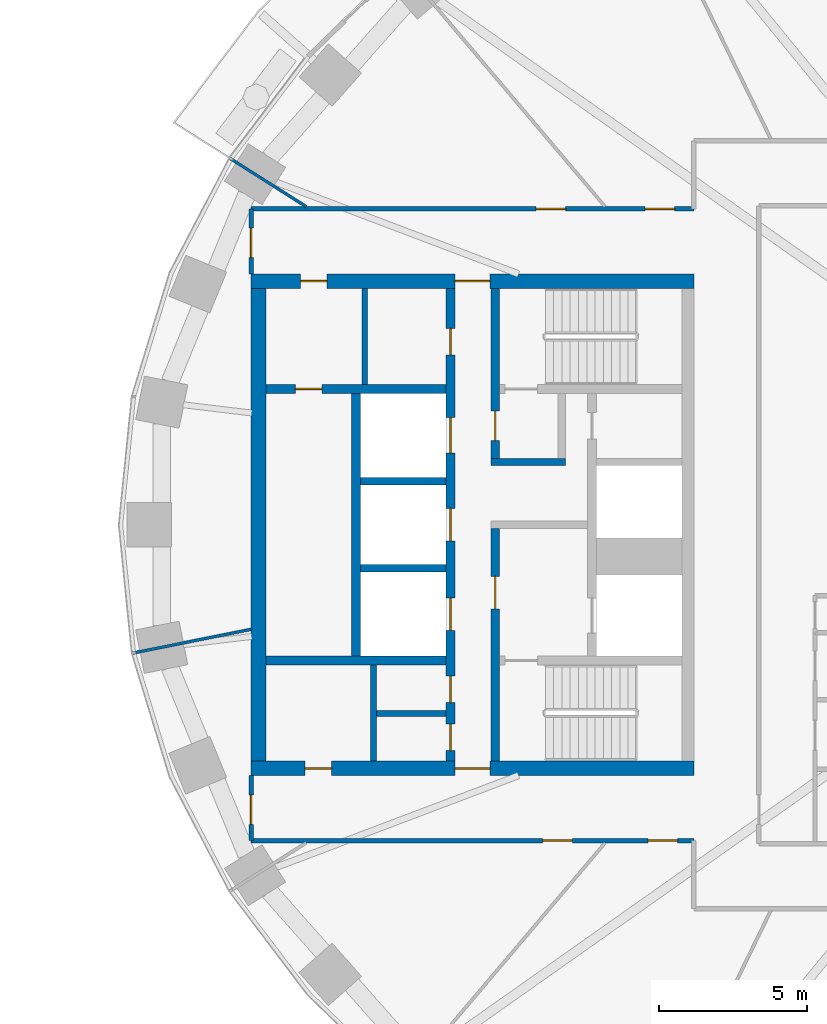
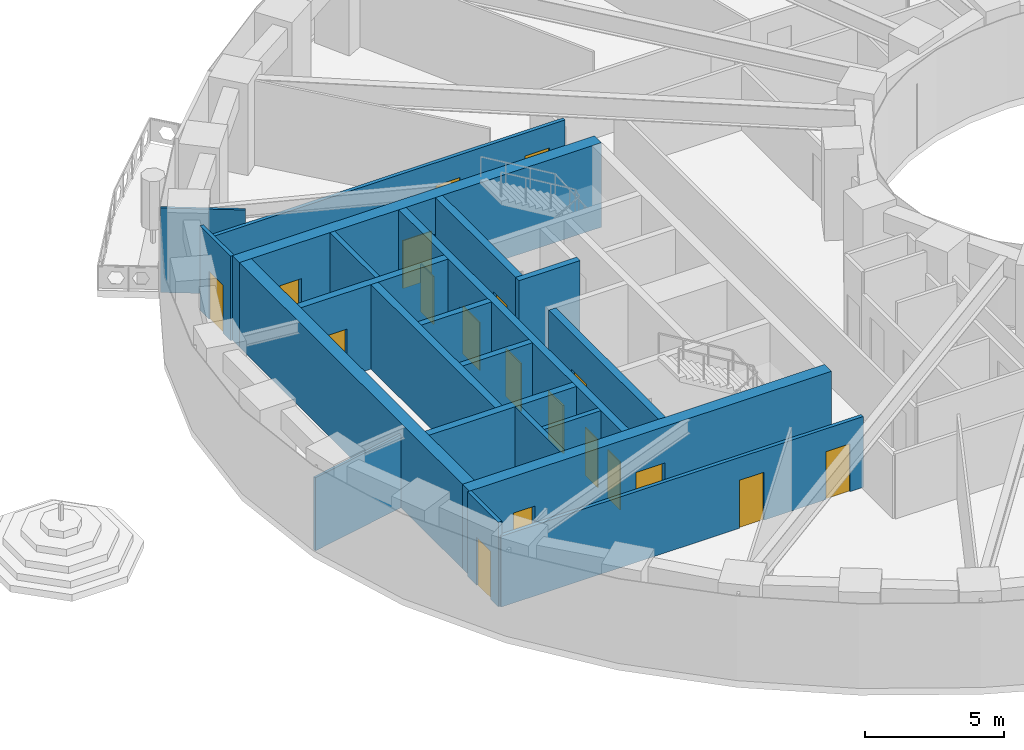
# One storey, part 3 of 20: 21 walls, 19 doors, 19 openings.
"""IFC4 building model written with IfcOpenShell, lengths in metres."""

from ifc_helpers import new_model, si_unit, direction, frame, frame_2d, origin, place, context, subcontext, project, spatial, rectangle, extrude, material, layer, layer_set, type_object, element, fill, save


model = new_model("IFC4")

# Units and contexts
model_context = context("Model", 3, precision=1e-05, world=origin(), true_north=direction((0.0, 1.0)))
body_context = subcontext(model_context, "Body", "Model", "MODEL_VIEW")
ifc_project = project(units=[si_unit("LENGTHUNIT", "METRE"), si_unit("AREAUNIT", "SQUARE_METRE"), si_unit("VOLUMEUNIT", "CUBIC_METRE"), si_unit("PLANEANGLEUNIT", "RADIAN"), si_unit("MASSUNIT", "GRAM", prefix="KILO")], contexts=[model_context])

# Site, building, storey
site_placement = place(None, origin())
site = spatial("IfcSite", under=ifc_project, at=site_placement, CompositionType="ELEMENT")
building_placement = place(site_placement, origin())
building = spatial("IfcBuilding", under=site, at=building_placement, Name="Noorbagh Ring Tower", CompositionType="ELEMENT")
storey_placement = place(building_placement, frame((0.0, 0.0, 34.5)))
storey = spatial("IfcBuildingStorey", under=building, at=storey_placement, Name="L06", CompositionType="ELEMENT", Elevation=34.5)

# Walls
ifc_material_1 = material(Name="Gypsum board on steel studs", Category="steel")
ifc_layer_1 = layer(ifc_material_1, 0.199951171875)
ifc_layer_set_1 = layer_set([ifc_layer_1], Name="Gypsum board on steel studs")
wall_type_1 = type_object("IfcWallType", Name="CORE-PARTITION-200", PredefinedType="PARTITIONING", material=ifc_layer_set_1)
for number, where, z_axis, x_axis, name in (
    (1, (-27.64990234375, 4.75, 0.0), (0.0, 0.0, 1.0), (0.0, 1.0, 0.0), "Core partition W"),
    (2, (-27.35009765625, -8.0, 0.0), (0.0, 0.0, 1.0), (0.0, 1.0, 0.0), "Core partition W"),
):
    element("IfcWall", number, at=place(storey_placement, frame(where, z_axis=z_axis, x_axis=x_axis)), inside=storey, type_object=wall_type_1, Name=name, PredefinedType="PARTITIONING", context=body_context, shape_type="SweptSolid", body=[
        extrude(rectangle(XDim=3.25, YDim=0.199951171875, at=frame_2d((1.625, 0.0))), origin(), (0.0, 0.0, 1.0), 3.699951171875),
    ])
wall_1_placement = place(storey_placement, frame((-24.89990234375, -6.39990234375, 0.0), z_axis=(0.0, 0.0, 1.0), x_axis=(-1.0, 0.0, 0.0)))
element("IfcWall", 3, at=wall_1_placement, inside=storey, type_object=wall_type_1, Name="Core partition W", PredefinedType="PARTITIONING", context=body_context, shape_type="SweptSolid", body=[
    extrude(rectangle(XDim=2.35009765625, YDim=0.199951171875, at=frame_2d((1.175048828125, 0.0))), origin(), (0.0, 0.0, 1.0), 3.699951171875),
])
ifc_material_2 = material(Name="Concrete C70/85", Category="concrete")
ifc_layer_2 = layer(ifc_material_2, 0.25)
ifc_layer_set_2 = layer_set([ifc_layer_2], Name="Concrete C70/85")
wall_type_2 = type_object("IfcWallType", Name="CORE-WALL-250-C70-85-EI120", PredefinedType="SHEAR", material=ifc_layer_set_2)
for number, where, z_axis, x_axis, name in (
    (4, (-24.89990234375, -1.47509765625, 0.0), (0.0, 0.0, 1.0), (-1.0, 0.0, 0.0), "Core wall W"),
    (5, (-24.89990234375, 1.47509765625, 0.0), (0.0, 0.0, 1.0), (-1.0, 0.0, 0.0), "Core wall W"),
):
    element("IfcWall", number, at=place(storey_placement, frame(where, z_axis=z_axis, x_axis=x_axis)), inside=storey, type_object=wall_type_2, Name=name, PredefinedType="SHEAR", context=body_context, shape_type="SweptSolid", body=[
        extrude(rectangle(XDim=2.900146484375, YDim=0.25, at=frame_2d((1.4501953125, 0.0))), origin(), (0.0, 0.0, 1.0), 3.699951171875),
    ])
ifc_material_3 = material(Name="Concrete C70/85", Category="concrete")
ifc_layer_3 = layer(ifc_material_3, 0.25)
ifc_layer_set_3 = layer_set([ifc_layer_3], Name="Concrete C70/85")
wall_type_3 = type_object("IfcWallType", Name="CORE-WALL-250-C70-85-EI240", PredefinedType="SHEAR", material=ifc_layer_set_3)
wall_2_placement = place(storey_placement, frame((-20.85009765625, 2.125, 0.0), z_axis=(0.0, 0.0, 1.0), x_axis=(-1.0, 0.0, 0.0)))
element("IfcWall", 6, at=wall_2_placement, inside=storey, type_object=wall_type_3, Name="Core wall W", PredefinedType="SHEAR", context=body_context, shape_type="SweptSolid", body=[
    extrude(rectangle(XDim=2.52978515625, YDim=0.25, at=frame_2d((1.264892578125, 0.0))), origin(), (0.0, 0.0, 1.0), 3.699951171875),
])
ifc_material_4 = material(Name="Concrete C70/85", Category="concrete")
ifc_layer_4 = layer(ifc_material_4, 0.300048828125)
ifc_layer_set_4 = layer_set([ifc_layer_4], Name="Concrete C70/85")
wall_type_4 = type_object("IfcWallType", Name="CORE-WALL-300-C70-85-EI120", PredefinedType="SHEAR", material=ifc_layer_set_4)
wall_3_placement = place(storey_placement, frame((-27.949951171875, -4.449951171875, 0.0), z_axis=(0.0, 0.0, 1.0), x_axis=(0.0, 1.0, 0.0)))
element("IfcWall", 7, at=wall_3_placement, inside=storey, type_object=wall_type_4, Name="Core wall W", PredefinedType="SHEAR", context=body_context, shape_type="SweptSolid", body=[
    extrude(rectangle(XDim=8.89990234375, YDim=0.300048828125, at=frame_2d((4.449951171875, 0.0))), origin(), (0.0, 0.0, 1.0), 3.699951171875),
])

# Wall, openings, doors
wall_4_placement = place(storey_placement, frame((-24.75, -8.0, 0.0), z_axis=(0.0, 0.0, 1.0), x_axis=(0.0, 1.0, 0.0)))
wall_4 = element("IfcWall", 8, at=wall_4_placement, inside=storey, type_object=wall_type_4, Name="Core wall W", PredefinedType="SHEAR", context=body_context, shape_type="SweptSolid", body=[
    extrude(rectangle(XDim=16.0, YDim=0.300048828125, at=frame_2d((8.0, 0.0))), origin(), (0.0, 0.0, 1.0), 3.699951171875),
])
opening_1_placement = place(wall_4_placement, frame((4.425048828125, 0.0, 0.0)))
opening_1 = element("IfcOpeningElement", 9, at=opening_1_placement, cuts=wall_4, Name="Opening L06-CW02", PredefinedType="OPENING", context=body_context, shape_type="SweptSolid", body=[
    extrude(rectangle(XDim=1.10009765625, YDim=2.10009765625, at=frame_2d((0.550048828125, 1.050048828125))), frame((0.0, 0.16015625, 0.0), z_axis=(0.0, -1.0, 0.0), x_axis=(1.0, 0.0, 0.0)), (0.0, 0.0, 1.0), 0.320068359375),
])
opening_2_placement = place(wall_4_placement, frame((7.449951171875, 0.0, 0.0)))
opening_2 = element("IfcOpeningElement", 10, at=opening_2_placement, cuts=wall_4, Name="Opening L06-CW03", PredefinedType="OPENING", context=body_context, shape_type="SweptSolid", body=[
    extrude(rectangle(XDim=1.10009765625, YDim=2.10009765625, at=frame_2d((0.550048828125, 1.050048828125))), frame((0.0, 0.16015625, 0.0), z_axis=(0.0, -1.0, 0.0), x_axis=(1.0, 0.0, 0.0)), (0.0, 0.0, 1.0), 0.320068359375),
])
opening_3_placement = place(wall_4_placement, frame((10.425048828125, 0.0, 0.0)))
opening_3 = element("IfcOpeningElement", 11, at=opening_3_placement, cuts=wall_4, Name="Opening L06-CW04", PredefinedType="OPENING", context=body_context, shape_type="SweptSolid", body=[
    extrude(rectangle(XDim=1.199951171875, YDim=2.10009765625, at=frame_2d((0.60009765625, 1.050048828125))), frame((0.0, 0.16015625, 0.0), z_axis=(0.0, -1.0, 0.0), x_axis=(1.0, 0.0, 0.0)), (0.0, 0.0, 1.0), 0.320068359375),
])
opening_4_placement = place(wall_4_placement, frame((13.75, 0.0, 0.0)))
opening_4 = element("IfcOpeningElement", 12, at=opening_4_placement, cuts=wall_4, Name="Opening L06-CW12", PredefinedType="OPENING", context=body_context, shape_type="SweptSolid", body=[
    extrude(rectangle(XDim=0.89990234375, YDim=2.10009765625, at=frame_2d((0.449951171875, 1.050048828125))), frame((0.0, 0.16015625, 0.0), z_axis=(0.0, -1.0, 0.0), x_axis=(1.0, 0.0, 0.0)), (0.0, 0.0, 1.0), 0.320068359375),
])
opening_5_placement = place(wall_4_placement, frame((1.97509765625, 0.0, 0.0)))
opening_5 = element("IfcOpeningElement", 13, at=opening_5_placement, cuts=wall_4, Name="Opening L06-CW14", PredefinedType="OPENING", context=body_context, shape_type="SweptSolid", body=[
    extrude(rectangle(XDim=0.89990234375, YDim=2.10009765625, at=frame_2d((0.449951171875, 1.050048828125))), frame((0.0, 0.16015625, 0.0), z_axis=(0.0, -1.0, 0.0), x_axis=(1.0, 0.0, 0.0)), (0.0, 0.0, 1.0), 0.320068359375),
])
opening_6_placement = place(wall_4_placement, frame((0.35009765625, 0.0, 0.0)))
opening_6 = element("IfcOpeningElement", 14, at=opening_6_placement, cuts=wall_4, Name="Opening L06-CW15", PredefinedType="OPENING", context=body_context, shape_type="SweptSolid", body=[
    extrude(rectangle(XDim=0.89990234375, YDim=2.10009765625, at=frame_2d((0.449951171875, 1.050048828125))), frame((0.0, 0.16015625, 0.0), z_axis=(0.0, -1.0, 0.0), x_axis=(1.0, 0.0, 0.0)), (0.0, 0.0, 1.0), 0.320068359375),
])
ifc_material_5 = material(Name="Steel door leaf", Category="steel")
door_type_1 = type_object("IfcDoorType", Name="CORE-DOOR-DROOM", OperationType="SINGLE_SWING_LEFT", PredefinedType="DOOR", material=ifc_material_5)
door_1_placement = place(opening_4_placement, origin())
door_1 = element("IfcDoor", 15, at=door_1_placement, inside=storey, type_object=door_type_1, Name="Core room door L06-CW12", OperationType="SINGLE_SWING_RIGHT", OverallHeight=2.10009765625, OverallWidth=0.89990234375, PredefinedType="DOOR", context=body_context, shape_type="SweptSolid", body=[
    extrude(rectangle(XDim=0.89990234375, YDim=2.10009765625, at=frame_2d((0.449951171875, 1.050048828125))), frame((0.0, 0.02490234375, 0.0), z_axis=(0.0, -1.0, 0.0), x_axis=(1.0, 0.0, 0.0)), (0.0, 0.0, 1.0), 0.050048828125),
])
fill(opening_4, door_1)
door_2_placement = place(opening_5_placement, origin())
door_2 = element("IfcDoor", 16, at=door_2_placement, inside=storey, type_object=door_type_1, Name="Core room door L06-CW14", OperationType="SINGLE_SWING_RIGHT", OverallHeight=2.10009765625, OverallWidth=0.89990234375, PredefinedType="DOOR", context=body_context, shape_type="SweptSolid", body=[
    extrude(rectangle(XDim=0.89990234375, YDim=2.10009765625, at=frame_2d((0.449951171875, 1.050048828125))), frame((0.0, 0.02490234375, 0.0), z_axis=(0.0, -1.0, 0.0), x_axis=(1.0, 0.0, 0.0)), (0.0, 0.0, 1.0), 0.050048828125),
])
fill(opening_5, door_2)
door_3_placement = place(opening_6_placement, origin())
door_3 = element("IfcDoor", 17, at=door_3_placement, inside=storey, type_object=door_type_1, Name="Core room door L06-CW15", OperationType="SINGLE_SWING_LEFT", OverallHeight=2.10009765625, OverallWidth=0.89990234375, PredefinedType="DOOR", context=body_context, shape_type="SweptSolid", body=[
    extrude(rectangle(XDim=0.89990234375, YDim=2.10009765625, at=frame_2d((0.449951171875, 1.050048828125))), frame((0.0, 0.02490234375, 0.0), z_axis=(0.0, -1.0, 0.0), x_axis=(1.0, 0.0, 0.0)), (0.0, 0.0, 1.0), 0.050048828125),
])
fill(opening_6, door_3)
ifc_material_6 = material(Name="Steel door leaf", Category="steel")
door_type_2 = type_object("IfcDoorType", Name="CORE-DOOR-LD", OperationType="DOUBLE_DOOR_SLIDING", PredefinedType="DOOR", material=ifc_material_6)
door_4_placement = place(opening_1_placement, origin())
door_4 = element("IfcDoor", 18, at=door_4_placement, inside=storey, type_object=door_type_2, Name="Landing door LR1 L06-CW02", OperationType="DOUBLE_DOOR_SLIDING", OverallHeight=2.10009765625, OverallWidth=1.10009765625, PredefinedType="DOOR", context=body_context, shape_type="SweptSolid", body=[
    extrude(rectangle(XDim=1.10009765625, YDim=2.10009765625, at=frame_2d((0.550048828125, 1.050048828125))), frame((0.0, 0.02490234375, 0.0), z_axis=(0.0, -1.0, 0.0), x_axis=(1.0, 0.0, 0.0)), (0.0, 0.0, 1.0), 0.050048828125),
])
fill(opening_1, door_4)
door_5_placement = place(opening_2_placement, origin())
door_5 = element("IfcDoor", 19, at=door_5_placement, inside=storey, type_object=door_type_2, Name="Landing door LR2 L06-CW03", OperationType="DOUBLE_DOOR_SLIDING", OverallHeight=2.10009765625, OverallWidth=1.10009765625, PredefinedType="DOOR", context=body_context, shape_type="SweptSolid", body=[
    extrude(rectangle(XDim=1.10009765625, YDim=2.10009765625, at=frame_2d((0.550048828125, 1.050048828125))), frame((0.0, 0.02490234375, 0.0), z_axis=(0.0, -1.0, 0.0), x_axis=(1.0, 0.0, 0.0)), (0.0, 0.0, 1.0), 0.050048828125),
])
fill(opening_2, door_5)
ifc_material_7 = material(Name="Steel door leaf", Category="steel")
door_type_3 = type_object("IfcDoorType", Name="CORE-DOOR-LDW", OperationType="DOUBLE_DOOR_SLIDING", PredefinedType="DOOR", material=ifc_material_7)
door_6_placement = place(opening_3_placement, origin())
door_6 = element("IfcDoor", 20, at=door_6_placement, inside=storey, type_object=door_type_3, Name="Landing door SV1 L06-CW04", OperationType="DOUBLE_DOOR_SLIDING", OverallHeight=2.10009765625, OverallWidth=1.199951171875, PredefinedType="DOOR", context=body_context, shape_type="SweptSolid", body=[
    extrude(rectangle(XDim=1.199951171875, YDim=2.10009765625, at=frame_2d((0.60009765625, 1.050048828125))), frame((0.0, 0.02490234375, 0.0), z_axis=(0.0, -1.0, 0.0), x_axis=(1.0, 0.0, 0.0)), (0.0, 0.0, 1.0), 0.050048828125),
])
fill(opening_3, door_6)

# Wall, opening, door
ifc_material_8 = material(Name="Concrete C70/85", Category="concrete")
ifc_layer_5 = layer(ifc_material_8, 0.300048828125)
ifc_layer_set_5 = layer_set([ifc_layer_5], Name="Concrete C70/85")
wall_type_5 = type_object("IfcWallType", Name="CORE-WALL-300-C70-85-EI240", PredefinedType="SHEAR", material=ifc_layer_set_5)
wall_5_placement = place(storey_placement, frame((-24.89990234375, 4.60009765625, 0.0), z_axis=(0.0, 0.0, 1.0), x_axis=(-1.0, 0.0, 0.0)))
wall_5 = element("IfcWall", 21, at=wall_5_placement, inside=storey, type_object=wall_type_5, Name="Core wall W", PredefinedType="SHEAR", context=body_context, shape_type="SweptSolid", body=[
    extrude(rectangle(XDim=6.10009765625, YDim=0.300048828125, at=frame_2d((3.050048828125, 0.0))), origin(), (0.0, 0.0, 1.0), 3.699951171875),
])
opening_7_placement = place(wall_5_placement, frame((4.199951171875, 0.0, 0.0)))
opening_7 = element("IfcOpeningElement", 22, at=opening_7_placement, cuts=wall_5, Name="Opening L06-CW17", PredefinedType="OPENING", context=body_context, shape_type="SweptSolid", body=[
    extrude(rectangle(XDim=0.89990234375, YDim=2.10009765625, at=frame_2d((0.449951171875, 1.050048828125))), frame((0.0, 0.16015625, 0.0), z_axis=(0.0, -1.0, 0.0), x_axis=(1.0, 0.0, 0.0)), (0.0, 0.0, 1.0), 0.320068359375),
])
door_7_placement = place(opening_7_placement, origin())
door_7 = element("IfcDoor", 23, at=door_7_placement, inside=storey, type_object=door_type_1, Name="Core room door L06-CW17", OperationType="SINGLE_SWING_LEFT", OverallHeight=2.10009765625, OverallWidth=0.89990234375, PredefinedType="DOOR", context=body_context, shape_type="SweptSolid", body=[
    extrude(rectangle(XDim=0.89990234375, YDim=2.10009765625, at=frame_2d((0.449951171875, 1.050048828125))), frame((0.0, 0.02490234375, 0.0), z_axis=(0.0, -1.0, 0.0), x_axis=(1.0, 0.0, 0.0)), (0.0, 0.0, 1.0), 0.050048828125),
])
fill(opening_7, door_7)

# Wall
wall_6_placement = place(storey_placement, frame((-24.89990234375, -4.60009765625, 0.0), z_axis=(0.0, 0.0, 1.0), x_axis=(-1.0, 0.0, 0.0)))
element("IfcWall", 24, at=wall_6_placement, inside=storey, type_object=wall_type_5, Name="Core wall W", PredefinedType="SHEAR", context=body_context, shape_type="SweptSolid", body=[
    extrude(rectangle(XDim=6.10009765625, YDim=0.300048828125, at=frame_2d((3.050048828125, 0.0))), origin(), (0.0, 0.0, 1.0), 3.699951171875),
])

# Wall, opening, door
wall_7_placement = place(storey_placement, frame((-23.22998046875, 2.25, 0.0), z_axis=(0.0, 0.0, 1.0), x_axis=(0.0, 1.0, 0.0)))
wall_7 = element("IfcWall", 25, at=wall_7_placement, inside=storey, type_object=wall_type_5, Name="Core wall W", PredefinedType="SHEAR", context=body_context, shape_type="SweptSolid", body=[
    extrude(rectangle(XDim=5.75, YDim=0.300048828125, at=frame_2d((2.875, 0.0))), origin(), (0.0, 0.0, 1.0), 3.699951171875),
])
opening_8_placement = place(wall_7_placement, frame((0.60009765625, 0.0, 0.0)))
opening_8 = element("IfcOpeningElement", 26, at=opening_8_placement, cuts=wall_7, Name="Opening L06-CW08", PredefinedType="OPENING", context=body_context, shape_type="SweptSolid", body=[
    extrude(rectangle(XDim=1.0, YDim=2.10009765625, at=frame_2d((0.5, 1.050048828125))), frame((0.0, 0.16015625, 0.0), z_axis=(0.0, -1.0, 0.0), x_axis=(1.0, 0.0, 0.0)), (0.0, 0.0, 1.0), 0.320068359375),
])
ifc_material_9 = material(Name="Steel door leaf", Category="steel")
door_type_4 = type_object("IfcDoorType", Name="CORE-DOOR-DVEST", OperationType="SINGLE_SWING_LEFT", PredefinedType="DOOR", material=ifc_material_9)
door_8_placement = place(opening_8_placement, origin())
door_8 = element("IfcDoor", 27, at=door_8_placement, inside=storey, type_object=door_type_4, Name="Stair vestibule door L06-CW08", OperationType="SINGLE_SWING_LEFT", OverallHeight=2.10009765625, OverallWidth=1.0, PredefinedType="DOOR", context=body_context, shape_type="SweptSolid", body=[
    extrude(rectangle(XDim=1.0, YDim=2.10009765625, at=frame_2d((0.5, 1.050048828125))), frame((0.0, 0.02490234375, 0.0), z_axis=(0.0, -1.0, 0.0), x_axis=(1.0, 0.0, 0.0)), (0.0, 0.0, 1.0), 0.050048828125),
])
fill(opening_8, door_8)

wall_8_placement = place(storey_placement, frame((-23.22998046875, -8.0, 0.0), z_axis=(0.0, 0.0, 1.0), x_axis=(0.0, 1.0, 0.0)))
wall_8 = element("IfcWall", 28, at=wall_8_placement, inside=storey, type_object=wall_type_5, Name="Core wall W", PredefinedType="SHEAR", context=body_context, shape_type="SweptSolid", body=[
    extrude(rectangle(XDim=7.875, YDim=0.300048828125, at=frame_2d((3.9375, 0.0))), origin(), (0.0, 0.0, 1.0), 3.699951171875),
])
opening_9_placement = place(wall_8_placement, frame((5.14990234375, 0.0, 0.0)))
opening_9 = element("IfcOpeningElement", 29, at=opening_9_placement, cuts=wall_8, Name="Opening L06-CW07", PredefinedType="OPENING", context=body_context, shape_type="SweptSolid", body=[
    extrude(rectangle(XDim=1.10009765625, YDim=2.10009765625, at=frame_2d((0.550048828125, 1.050048828125))), frame((0.0, 0.16015625, 0.0), z_axis=(0.0, -1.0, 0.0), x_axis=(1.0, 0.0, 0.0)), (0.0, 0.0, 1.0), 0.320068359375),
])
ifc_material_10 = material(Name="Steel door leaf", Category="steel")
door_type_5 = type_object("IfcDoorType", Name="CORE-DOOR-DFF", OperationType="SINGLE_SWING_LEFT", PredefinedType="DOOR", material=ifc_material_10)
door_9_placement = place(opening_9_placement, origin())
door_9 = element("IfcDoor", 30, at=door_9_placement, inside=storey, type_object=door_type_5, Name="Firefighting lobby door L06-CW07", OperationType="SINGLE_SWING_LEFT", OverallHeight=2.10009765625, OverallWidth=1.10009765625, PredefinedType="DOOR", context=body_context, shape_type="SweptSolid", body=[
    extrude(rectangle(XDim=1.10009765625, YDim=2.10009765625, at=frame_2d((0.550048828125, 1.050048828125))), frame((0.0, 0.02490234375, 0.0), z_axis=(0.0, -1.0, 0.0), x_axis=(1.0, 0.0, 0.0)), (0.0, 0.0, 1.0), 0.050048828125),
])
fill(opening_9, door_9)

# Wall, openings, doors
ifc_material_11 = material(Name="Concrete C70/85", Category="concrete")
ifc_layer_6 = layer(ifc_material_11, 0.5)
ifc_layer_set_6 = layer_set([ifc_layer_6], Name="Concrete C70/85")
wall_type_6 = type_object("IfcWallType", Name="CORE-WALL-500-C70-85-EI240", PredefinedType="SHEAR", material=ifc_layer_set_6)
wall_9_placement = place(storey_placement, frame((-16.5, 8.25, 0.0), z_axis=(0.0, 0.0, 1.0), x_axis=(-1.0, 0.0, 0.0)))
wall_9 = element("IfcWall", 31, at=wall_9_placement, inside=storey, type_object=wall_type_6, Name="Core wall W", PredefinedType="SHEAR", context=body_context, shape_type="SweptSolid", body=[
    extrude(rectangle(XDim=15.0, YDim=0.5, at=frame_2d((7.5, 0.0))), origin(), (0.0, 0.0, 1.0), 3.699951171875),
])
opening_10_placement = place(wall_9_placement, frame((6.89990234375, 0.0, 0.0)))
opening_10 = element("IfcOpeningElement", 32, at=opening_10_placement, cuts=wall_9, Name="Opening L06-CW09", PredefinedType="OPENING", context=body_context, shape_type="SweptSolid", body=[
    extrude(rectangle(XDim=1.199951171875, YDim=2.10009765625, at=frame_2d((0.60009765625, 1.050048828125))), frame((0.0, 0.260009765625, 0.0), z_axis=(0.0, -1.0, 0.0), x_axis=(1.0, 0.0, 0.0)), (0.0, 0.0, 1.0), 0.52001953125),
])
opening_11_placement = place(wall_9_placement, frame((12.425048828125, 0.0, 0.0)))
opening_11 = element("IfcOpeningElement", 33, at=opening_11_placement, cuts=wall_9, Name="Opening L06-CW13", PredefinedType="OPENING", context=body_context, shape_type="SweptSolid", body=[
    extrude(rectangle(XDim=0.89990234375, YDim=2.10009765625, at=frame_2d((0.449951171875, 1.050048828125))), frame((0.0, 0.260009765625, 0.0), z_axis=(0.0, -1.0, 0.0), x_axis=(1.0, 0.0, 0.0)), (0.0, 0.0, 1.0), 0.52001953125),
])
door_10_placement = place(opening_11_placement, origin())
door_10 = element("IfcDoor", 34, at=door_10_placement, inside=storey, type_object=door_type_1, Name="Core room door L06-CW13", OperationType="SINGLE_SWING_RIGHT", OverallHeight=2.10009765625, OverallWidth=0.89990234375, PredefinedType="DOOR", context=body_context, shape_type="SweptSolid", body=[
    extrude(rectangle(XDim=0.89990234375, YDim=2.10009765625, at=frame_2d((0.449951171875, 1.050048828125))), frame((0.0, 0.02490234375, 0.0), z_axis=(0.0, -1.0, 0.0), x_axis=(1.0, 0.0, 0.0)), (0.0, 0.0, 1.0), 0.050048828125),
])
fill(opening_11, door_10)
ifc_material_12 = material(Name="Steel door leaf", Category="steel")
door_type_6 = type_object("IfcDoorType", Name="CORE-DOOR-PORT", OperationType="DOUBLE_DOOR_DOUBLE_SWING", PredefinedType="DOOR", material=ifc_material_12)
door_11_placement = place(opening_10_placement, origin())
door_11 = element("IfcDoor", 35, at=door_11_placement, inside=storey, type_object=door_type_6, Name="Core entrance door L06-CW09", OperationType="DOUBLE_DOOR_DOUBLE_SWING", OverallHeight=2.10009765625, OverallWidth=1.199951171875, PredefinedType="DOOR", context=body_context, shape_type="SweptSolid", body=[
    extrude(rectangle(XDim=1.199951171875, YDim=2.10009765625, at=frame_2d((0.60009765625, 1.050048828125))), frame((0.0, 0.02490234375, 0.0), z_axis=(0.0, -1.0, 0.0), x_axis=(1.0, 0.0, 0.0)), (0.0, 0.0, 1.0), 0.050048828125),
])
fill(opening_10, door_11)

wall_10_placement = place(storey_placement, frame((-16.5, -8.25, 0.0), z_axis=(0.0, 0.0, 1.0), x_axis=(-1.0, 0.0, 0.0)))
wall_10 = element("IfcWall", 36, at=wall_10_placement, inside=storey, type_object=wall_type_6, Name="Core wall W", PredefinedType="SHEAR", context=body_context, shape_type="SweptSolid", body=[
    extrude(rectangle(XDim=15.0, YDim=0.5, at=frame_2d((7.5, 0.0))), origin(), (0.0, 0.0, 1.0), 3.699951171875),
])
opening_12_placement = place(wall_10_placement, frame((6.89990234375, 0.0, 0.0)))
opening_12 = element("IfcOpeningElement", 37, at=opening_12_placement, cuts=wall_10, Name="Opening L06-CW10", PredefinedType="OPENING", context=body_context, shape_type="SweptSolid", body=[
    extrude(rectangle(XDim=1.199951171875, YDim=2.10009765625, at=frame_2d((0.60009765625, 1.050048828125))), frame((0.0, 0.260009765625, 0.0), z_axis=(0.0, -1.0, 0.0), x_axis=(1.0, 0.0, 0.0)), (0.0, 0.0, 1.0), 0.52001953125),
])
opening_13_placement = place(wall_10_placement, frame((12.27490234375, 0.0, 0.0)))
opening_13 = element("IfcOpeningElement", 38, at=opening_13_placement, cuts=wall_10, Name="Opening L06-CW16", PredefinedType="OPENING", context=body_context, shape_type="SweptSolid", body=[
    extrude(rectangle(XDim=0.89990234375, YDim=2.10009765625, at=frame_2d((0.449951171875, 1.050048828125))), frame((0.0, 0.260009765625, 0.0), z_axis=(0.0, -1.0, 0.0), x_axis=(1.0, 0.0, 0.0)), (0.0, 0.0, 1.0), 0.52001953125),
])
door_12_placement = place(opening_13_placement, origin())
door_12 = element("IfcDoor", 39, at=door_12_placement, inside=storey, type_object=door_type_1, Name="Core room door L06-CW16", OperationType="SINGLE_SWING_LEFT", OverallHeight=2.10009765625, OverallWidth=0.89990234375, PredefinedType="DOOR", context=body_context, shape_type="SweptSolid", body=[
    extrude(rectangle(XDim=0.89990234375, YDim=2.10009765625, at=frame_2d((0.449951171875, 1.050048828125))), frame((0.0, 0.02490234375, 0.0), z_axis=(0.0, -1.0, 0.0), x_axis=(1.0, 0.0, 0.0)), (0.0, 0.0, 1.0), 0.050048828125),
])
fill(opening_13, door_12)
door_13_placement = place(opening_12_placement, origin())
door_13 = element("IfcDoor", 40, at=door_13_placement, inside=storey, type_object=door_type_6, Name="Core entrance door L06-CW10", OperationType="DOUBLE_DOOR_DOUBLE_SWING", OverallHeight=2.10009765625, OverallWidth=1.199951171875, PredefinedType="DOOR", context=body_context, shape_type="SweptSolid", body=[
    extrude(rectangle(XDim=1.199951171875, YDim=2.10009765625, at=frame_2d((0.60009765625, 1.050048828125))), frame((0.0, 0.02490234375, 0.0), z_axis=(0.0, -1.0, 0.0), x_axis=(1.0, 0.0, 0.0)), (0.0, 0.0, 1.0), 0.050048828125),
])
fill(opening_12, door_13)

# Wall
wall_11_placement = place(storey_placement, frame((-31.25, -8.0, 0.0), z_axis=(0.0, 0.0, 1.0), x_axis=(0.0, 1.0, 0.0)))
element("IfcWall", 41, at=wall_11_placement, inside=storey, type_object=wall_type_6, Name="Core wall W", PredefinedType="SHEAR", context=body_context, shape_type="SweptSolid", body=[
    extrude(rectangle(XDim=16.0, YDim=0.5, at=frame_2d((8.0, 0.0))), origin(), (0.0, 0.0, 1.0), 3.699951171875),
])

# Wall, opening, door
ifc_material_13 = material(Name="Gypsum board on steel studs", Category="steel")
ifc_layer_7 = layer(ifc_material_13, 0.14990234375)
ifc_layer_set_7 = layer_set([ifc_layer_7], Name="Gypsum board on steel studs")
wall_type_7 = type_object("IfcWallType", Name="CORRIDOR PARTITION 150 EI 30", PredefinedType="PARTITIONING", material=ifc_layer_set_7)
wall_12_placement = place(storey_placement, frame((-31.5, -10.699951171875, 0.0), z_axis=(0.0, 0.0, 1.0), x_axis=(0.0, 1.0, 0.0)))
wall_12 = element("IfcWall", 42, at=wall_12_placement, inside=storey, type_object=wall_type_7, Name="L06/wall/P04", PredefinedType="PARTITIONING", context=body_context, shape_type="SweptSolid", body=[
    extrude(rectangle(XDim=2.199951171875, YDim=0.14990234375, at=frame_2d((1.10009765625, 0.0))), origin(), (0.0, 0.0, 1.0), 3.699951171875),
])
opening_14_placement = place(wall_12_placement, frame((0.550048828125, 0.0, 0.0)))
opening_14 = element("IfcOpeningElement", 43, at=opening_14_placement, cuts=wall_12, Name="Opening D1", PredefinedType="OPENING", context=body_context, shape_type="SweptSolid", body=[
    extrude(rectangle(XDim=1.0, YDim=2.10009765625, at=frame_2d((0.5, 1.050048828125))), frame((0.0, 0.0849609375, 0.0), z_axis=(0.0, -1.0, 0.0), x_axis=(1.0, 0.0, 0.0)), (0.0, 0.0, 1.0), 0.169921875),
])
ifc_material_14 = material(Name="Timber, painted", Category="wood")
door_type_7 = type_object("IfcDoorType", Name="DOOR 1000 X 2100 FD30", OperationType="SINGLE_SWING_LEFT", PredefinedType="DOOR", material=ifc_material_14)
door_14_placement = place(opening_14_placement, origin())
door_14 = element("IfcDoor", 44, at=door_14_placement, inside=storey, type_object=door_type_7, Name="L06-D06", OperationType="SINGLE_SWING_RIGHT", OverallHeight=2.10009765625, OverallWidth=1.0, PredefinedType="DOOR", context=body_context, shape_type="SweptSolid", body=[
    extrude(rectangle(XDim=1.0, YDim=2.10009765625, at=frame_2d((0.5, 1.050048828125))), frame((0.0, 0.02490234375, 0.0), z_axis=(0.0, -1.0, 0.0), x_axis=(1.0, 0.0, 0.0)), (0.0, 0.0, 1.0), 0.050048828125),
])
fill(opening_14, door_14)

# Wall, openings, doors
wall_13_placement = place(storey_placement, frame((-31.5, -10.699951171875, 0.0), z_axis=(0.0, 0.0, 1.0), x_axis=(1.0, 0.0, 0.0)))
wall_13 = element("IfcWall", 45, at=wall_13_placement, inside=storey, type_object=wall_type_7, Name="L06/wall/P05", PredefinedType="PARTITIONING", context=body_context, shape_type="SweptSolid", body=[
    extrude(rectangle(XDim=15.0, YDim=0.14990234375, at=frame_2d((7.5, 0.0))), origin(), (0.0, 0.0, 1.0), 3.10009765625),
])
opening_15_placement = place(wall_13_placement, frame((9.87890625, 0.0, 0.0)))
opening_15 = element("IfcOpeningElement", 46, at=opening_15_placement, cuts=wall_13, Name="Opening D1", PredefinedType="OPENING", context=body_context, shape_type="SweptSolid", body=[
    extrude(rectangle(XDim=1.0, YDim=2.10009765625, at=frame_2d((0.5, 1.050048828125))), frame((0.0, 0.0849609375, 0.0), z_axis=(0.0, -1.0, 0.0), x_axis=(1.0, 0.0, 0.0)), (0.0, 0.0, 1.0), 0.169921875),
])
opening_16_placement = place(wall_13_placement, frame((13.448974609375, 0.0, 0.0)))
opening_16 = element("IfcOpeningElement", 47, at=opening_16_placement, cuts=wall_13, Name="Opening D1", PredefinedType="OPENING", context=body_context, shape_type="SweptSolid", body=[
    extrude(rectangle(XDim=1.0, YDim=2.10009765625, at=frame_2d((0.5, 1.050048828125))), frame((0.0, 0.0849609375, 0.0), z_axis=(0.0, -1.0, 0.0), x_axis=(1.0, 0.0, 0.0)), (0.0, 0.0, 1.0), 0.169921875),
])
door_15_placement = place(opening_15_placement, origin())
door_15 = element("IfcDoor", 48, at=door_15_placement, inside=storey, type_object=door_type_7, Name="L06-D08", OperationType="SINGLE_SWING_RIGHT", OverallHeight=2.10009765625, OverallWidth=1.0, PredefinedType="DOOR", context=body_context, shape_type="SweptSolid", body=[
    extrude(rectangle(XDim=1.0, YDim=2.10009765625, at=frame_2d((0.5, 1.050048828125))), frame((0.0, 0.02490234375, 0.0), z_axis=(0.0, -1.0, 0.0), x_axis=(1.0, 0.0, 0.0)), (0.0, 0.0, 1.0), 0.050048828125),
])
fill(opening_15, door_15)
door_16_placement = place(opening_16_placement, origin())
door_16 = element("IfcDoor", 49, at=door_16_placement, inside=storey, type_object=door_type_7, Name="L06-D10", OperationType="SINGLE_SWING_RIGHT", OverallHeight=2.10009765625, OverallWidth=1.0, PredefinedType="DOOR", context=body_context, shape_type="SweptSolid", body=[
    extrude(rectangle(XDim=1.0, YDim=2.10009765625, at=frame_2d((0.5, 1.050048828125))), frame((0.0, 0.02490234375, 0.0), z_axis=(0.0, -1.0, 0.0), x_axis=(1.0, 0.0, 0.0)), (0.0, 0.0, 1.0), 0.050048828125),
])
fill(opening_16, door_16)

# Wall, opening, door
wall_14_placement = place(storey_placement, frame((-31.5, 8.5, 0.0), z_axis=(0.0, 0.0, 1.0), x_axis=(0.0, 1.0, 0.0)))
wall_14 = element("IfcWall", 50, at=wall_14_placement, inside=storey, type_object=wall_type_7, Name="L06/wall/P06", PredefinedType="PARTITIONING", context=body_context, shape_type="SweptSolid", body=[
    extrude(rectangle(XDim=2.199951171875, YDim=0.14990234375, at=frame_2d((1.10009765625, 0.0))), origin(), (0.0, 0.0, 1.0), 3.699951171875),
])
opening_17_placement = place(wall_14_placement, frame((0.550048828125, 0.0, 0.0)))
opening_17 = element("IfcOpeningElement", 51, at=opening_17_placement, cuts=wall_14, Name="Opening D1", PredefinedType="OPENING", context=body_context, shape_type="SweptSolid", body=[
    extrude(rectangle(XDim=1.0, YDim=2.10009765625, at=frame_2d((0.5, 1.050048828125))), frame((0.0, 0.0849609375, 0.0), z_axis=(0.0, -1.0, 0.0), x_axis=(1.0, 0.0, 0.0)), (0.0, 0.0, 1.0), 0.169921875),
])
door_17_placement = place(opening_17_placement, origin())
door_17 = element("IfcDoor", 52, at=door_17_placement, inside=storey, type_object=door_type_7, Name="L06-D07", OperationType="SINGLE_SWING_LEFT", OverallHeight=2.10009765625, OverallWidth=1.0, PredefinedType="DOOR", context=body_context, shape_type="SweptSolid", body=[
    extrude(rectangle(XDim=1.0, YDim=2.10009765625, at=frame_2d((0.5, 1.050048828125))), frame((0.0, 0.02490234375, 0.0), z_axis=(0.0, -1.0, 0.0), x_axis=(1.0, 0.0, 0.0)), (0.0, 0.0, 1.0), 0.050048828125),
])
fill(opening_17, door_17)

# Wall, openings, doors
wall_15_placement = place(storey_placement, frame((-31.5, 10.699951171875, 0.0), z_axis=(0.0, 0.0, 1.0), x_axis=(1.0, 0.0, 0.0)))
wall_15 = element("IfcWall", 53, at=wall_15_placement, inside=storey, type_object=wall_type_7, Name="L06/wall/P07", PredefinedType="PARTITIONING", context=body_context, shape_type="SweptSolid", body=[
    extrude(rectangle(XDim=15.0, YDim=0.14990234375, at=frame_2d((7.5, 0.0))), origin(), (0.0, 0.0, 1.0), 3.10009765625),
])
opening_18_placement = place(wall_15_placement, frame((9.655029296875, 0.0, 0.0)))
opening_18 = element("IfcOpeningElement", 54, at=opening_18_placement, cuts=wall_15, Name="Opening D1", PredefinedType="OPENING", context=body_context, shape_type="SweptSolid", body=[
    extrude(rectangle(XDim=1.0, YDim=2.10009765625, at=frame_2d((0.5, 1.050048828125))), frame((0.0, 0.0849609375, 0.0), z_axis=(0.0, -1.0, 0.0), x_axis=(1.0, 0.0, 0.0)), (0.0, 0.0, 1.0), 0.169921875),
])
opening_19_placement = place(wall_15_placement, frame((13.35009765625, 0.0, 0.0)))
opening_19 = element("IfcOpeningElement", 55, at=opening_19_placement, cuts=wall_15, Name="Opening D1", PredefinedType="OPENING", context=body_context, shape_type="SweptSolid", body=[
    extrude(rectangle(XDim=1.0, YDim=2.10009765625, at=frame_2d((0.5, 1.050048828125))), frame((0.0, 0.0849609375, 0.0), z_axis=(0.0, -1.0, 0.0), x_axis=(1.0, 0.0, 0.0)), (0.0, 0.0, 1.0), 0.169921875),
])
door_18_placement = place(opening_18_placement, origin())
door_18 = element("IfcDoor", 56, at=door_18_placement, inside=storey, type_object=door_type_7, Name="L06-D09", OperationType="SINGLE_SWING_LEFT", OverallHeight=2.10009765625, OverallWidth=1.0, PredefinedType="DOOR", context=body_context, shape_type="SweptSolid", body=[
    extrude(rectangle(XDim=1.0, YDim=2.10009765625, at=frame_2d((0.5, 1.050048828125))), frame((0.0, 0.02490234375, 0.0), z_axis=(0.0, -1.0, 0.0), x_axis=(1.0, 0.0, 0.0)), (0.0, 0.0, 1.0), 0.050048828125),
])
fill(opening_18, door_18)
door_19_placement = place(opening_19_placement, origin())
door_19 = element("IfcDoor", 57, at=door_19_placement, inside=storey, type_object=door_type_7, Name="L06-D11", OperationType="SINGLE_SWING_LEFT", OverallHeight=2.10009765625, OverallWidth=1.0, PredefinedType="DOOR", context=body_context, shape_type="SweptSolid", body=[
    extrude(rectangle(XDim=1.0, YDim=2.10009765625, at=frame_2d((0.5, 1.050048828125))), frame((0.0, 0.02490234375, 0.0), z_axis=(0.0, -1.0, 0.0), x_axis=(1.0, 0.0, 0.0)), (0.0, 0.0, 1.0), 0.050048828125),
])
fill(opening_19, door_19)

# Walls
ifc_material_15 = material(Name="Gypsum board on steel studs", Category="steel")
ifc_layer_8 = layer(ifc_material_15, 0.10009765625)
ifc_layer_set_8 = layer_set([ifc_layer_8], Name="Gypsum board on steel studs")
wall_type_8 = type_object("IfcWallType", Name="PARTITION 100 GYPSUM", PredefinedType="PARTITIONING", material=ifc_layer_set_8)
wall_16_placement = place(storey_placement, frame((-35.511962890625, -4.34912109375, 0.0), z_axis=(0.0, 0.0, 1.0), x_axis=(0.980357474535, 0.197228857227, 0.0)))
element("IfcWall", 58, at=wall_16_placement, inside=storey, type_object=wall_type_8, Name="L06/wall/P01", PredefinedType="PARTITIONING", context=body_context, shape_type="SweptSolid", body=[
    extrude(rectangle(XDim=4.09228515625, YDim=0.10009765625, at=frame_2d((2.046142578125, 0.0))), origin(), (0.0, 0.0, 1.0), 3.199951171875),
])
wall_17_placement = place(storey_placement, frame((-32.2119140625, 12.407958984375, 0.0), z_axis=(0.0, 0.0, 1.0), x_axis=(0.844810627195, -0.535065420467, 0.0)))
element("IfcWall", 59, at=wall_17_placement, inside=storey, type_object=wall_type_8, Name="L06/wall/P03", PredefinedType="PARTITIONING", context=body_context, shape_type="SweptSolid", body=[
    extrude(rectangle(XDim=3.0478515625, YDim=0.10009765625, at=frame_2d((1.52392578125, 0.0))), origin(), (0.0, 0.0, 1.0), 3.699951171875),
])

save(model, "model.ifc")
